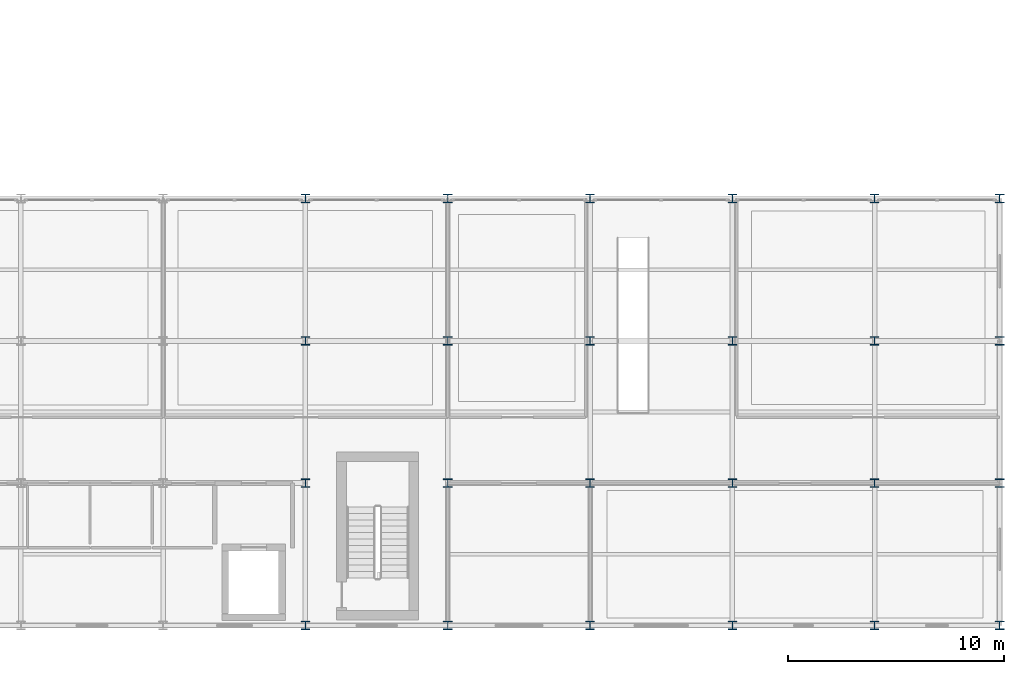
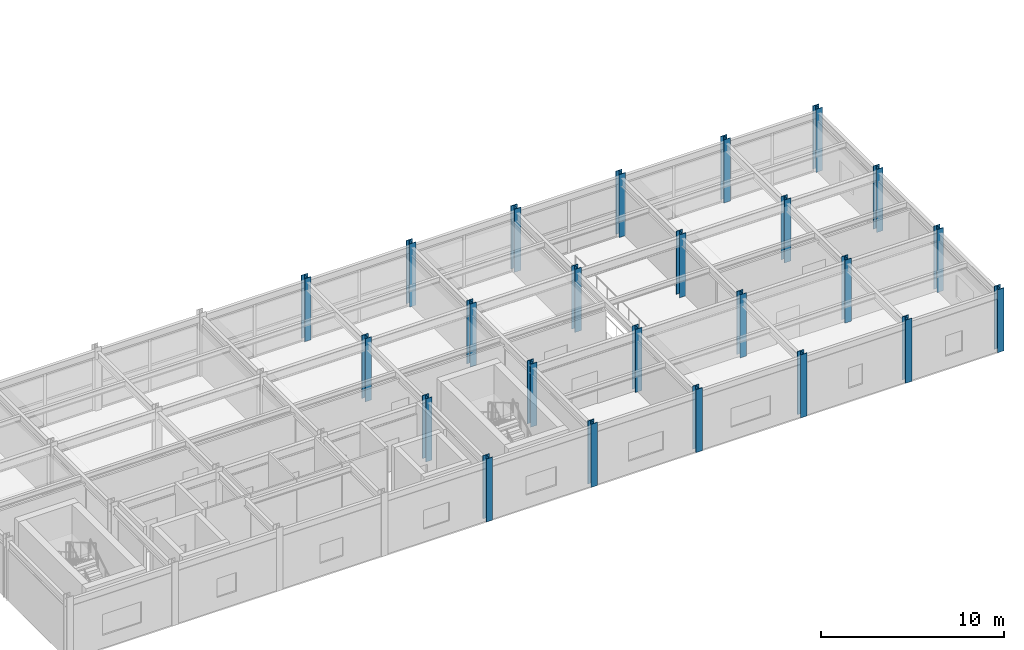
# One storey, part 17 of 147: 24 columns.
"""IFC4 building model written with IfcOpenShell, lengths in metres."""

from ifc_helpers import new_model, si_unit, direction, frame, origin, origin_2d, place, context, subcontext, project, spatial, i_section, extrude, material, material_profile, profile_set, type_object, element, save


model = new_model("IFC4")

# Units and contexts
model_context = context("Model", 3, precision=1e-05, world=origin(), true_north=direction((0.0, 1.0)))
body_context = subcontext(model_context, "Body", "Model", "MODEL_VIEW")
ifc_project = project(units=[si_unit("LENGTHUNIT", "METRE"), si_unit("AREAUNIT", "SQUARE_METRE"), si_unit("VOLUMEUNIT", "CUBIC_METRE"), si_unit("PLANEANGLEUNIT", "RADIAN"), si_unit("MASSUNIT", "GRAM", prefix="KILO")], contexts=[model_context])

# Site, building, storey
site_placement = place(None, origin())
site = spatial("IfcSite", under=ifc_project, at=site_placement, CompositionType="ELEMENT")
building_placement = place(site_placement, origin())
building = spatial("IfcBuilding", under=site, at=building_placement, Name="Karori Crest Natural Sciences Institute", CompositionType="ELEMENT")
storey_placement = place(building_placement, frame((0.0, 0.0, 9.10009765625)))
storey = spatial("IfcBuildingStorey", under=building, at=storey_placement, Name="L02", CompositionType="ELEMENT", Elevation=9.10009765625)

# Columns
ifc_material = material(Name="Structural steel AS/NZS 3679.1 Grade 350", Category="steel")
ifc_material_profile_1 = material_profile(ifc_material, i_section(OverallWidth=0.39990234375, OverallDepth=0.39990234375, WebThickness=0.02001953125, FlangeThickness=0.034912109375, FilletRadius=0.01611328125, at=origin_2d()), Name="400WC328")
ifc_profile_set_1 = profile_set([ifc_material_profile_1], Name="Structural steel AS/NZS 3679.1 Grade 350")
column_type_1 = type_object("IfcColumnType", Name="CT-02", PredefinedType="COLUMN", material=ifc_profile_set_1)
for number, where, z_axis, x_axis, name in (
    (1, (130.0, 7.39990234375, 0.0), (0.0, 0.0, 1.0), (1.0, 0.0, 0.0), "Column C-1224"),
    (2, (130.0, 14.0, 0.0), (0.0, 0.0, 1.0), (1.0, 0.0, 0.0), "Column C-1236"),
    (3, (136.60009765625, 7.39990234375, 0.0), (0.0, 0.0, 1.0), (1.0, 0.0, 0.0), "Column C-1272"),
    (4, (136.60009765625, 14.0, 0.0), (0.0, 0.0, 1.0), (1.0, 0.0, 0.0), "Column C-1284"),
    (5, (143.199951171875, 7.39990234375, 0.0), (0.0, 0.0, 1.0), (1.0, 0.0, 0.0), "Column C-1319"),
    (6, (143.199951171875, 14.0, 0.0), (0.0, 0.0, 1.0), (1.0, 0.0, 0.0), "Column C-1330"),
    (7, (149.800048828125, 7.39990234375, 0.0), (0.0, 0.0, 1.0), (1.0, 0.0, 0.0), "Column C-1363"),
    (8, (149.800048828125, 14.0, 0.0), (0.0, 0.0, 1.0), (1.0, 0.0, 0.0), "Column C-1374"),
    (9, (156.39990234375, 7.39990234375, 0.0), (0.0, 0.0, 1.0), (1.0, 0.0, 0.0), "Column C-1405"),
    (10, (156.39990234375, 14.0, 0.0), (0.0, 0.0, 1.0), (1.0, 0.0, 0.0), "Column C-1414"),
):
    element("IfcColumn", number, at=place(storey_placement, frame(where, z_axis=z_axis, x_axis=x_axis)), inside=storey, type_object=column_type_1, Name=name, PredefinedType="COLUMN", context=body_context, shape_type="SweptSolid", body=[
        extrude(i_section(OverallWidth=0.39990234375, OverallDepth=0.39990234375, WebThickness=0.02001953125, FlangeThickness=0.034912109375, FilletRadius=0.01611328125, at=origin_2d()), origin(), (0.0, 0.0, 1.0), 4.199951171875),
    ])
ifc_material_profile_2 = material_profile(ifc_material, i_section(OverallWidth=0.39990234375, OverallDepth=0.39990234375, WebThickness=0.02001953125, FlangeThickness=0.034912109375, FilletRadius=0.01611328125, at=origin_2d()), Name="400WC328")
ifc_profile_set_2 = profile_set([ifc_material_profile_2], Name="Structural steel AS/NZS 3679.1 Grade 350")
column_type_2 = type_object("IfcColumnType", Name="CT-02-EL", PredefinedType="COLUMN", material=ifc_profile_set_2)
for number, where, z_axis, x_axis, name in (
    (11, (130.0, 0.800048828125, 0.0), (0.0, 0.0, 1.0), (1.0, 0.0, 0.0), "Column C-1212"),
    (12, (130.0, 20.60009765625, 0.0), (0.0, 0.0, 1.0), (1.0, 0.0, 0.0), "Column C-1248"),
    (13, (136.60009765625, 0.800048828125, 0.0), (0.0, 0.0, 1.0), (1.0, 0.0, 0.0), "Column C-1260"),
    (14, (136.60009765625, 20.60009765625, 0.0), (0.0, 0.0, 1.0), (1.0, 0.0, 0.0), "Column C-1296"),
    (15, (143.199951171875, 0.800048828125, 0.0), (0.0, 0.0, 1.0), (1.0, 0.0, 0.0), "Column C-1308"),
    (16, (143.199951171875, 20.60009765625, 0.0), (0.0, 0.0, 1.0), (1.0, 0.0, 0.0), "Column C-1341"),
    (17, (149.800048828125, 0.800048828125, 0.0), (0.0, 0.0, 1.0), (1.0, 0.0, 0.0), "Column C-1352"),
    (18, (149.800048828125, 20.60009765625, 0.0), (0.0, 0.0, 1.0), (1.0, 0.0, 0.0), "Column C-1385"),
    (19, (156.39990234375, 0.800048828125, 0.0), (0.0, 0.0, 1.0), (1.0, 0.0, 0.0), "Column C-1396"),
    (20, (156.39990234375, 20.60009765625, 0.0), (0.0, 0.0, 1.0), (1.0, 0.0, 0.0), "Column C-1423"),
    (21, (162.199951171875, 0.800048828125, 0.0), (0.0, 0.0, 1.0), (1.0, 0.0, 0.0), "Column C-1432"),
    (22, (162.199951171875, 7.39990234375, 0.0), (0.0, 0.0, 1.0), (1.0, 0.0, 0.0), "Column C-1439"),
    (23, (162.199951171875, 14.0, 0.0), (0.0, 0.0, 1.0), (1.0, 0.0, 0.0), "Column C-1446"),
    (24, (162.199951171875, 20.60009765625, 0.0), (0.0, 0.0, 1.0), (1.0, 0.0, 0.0), "Column C-1453"),
):
    element("IfcColumn", number, at=place(storey_placement, frame(where, z_axis=z_axis, x_axis=x_axis)), inside=storey, type_object=column_type_2, Name=name, PredefinedType="COLUMN", context=body_context, shape_type="SweptSolid", body=[
        extrude(i_section(OverallWidth=0.39990234375, OverallDepth=0.39990234375, WebThickness=0.02001953125, FlangeThickness=0.034912109375, FilletRadius=0.01611328125, at=origin_2d()), origin(), (0.0, 0.0, 1.0), 4.199951171875),
    ])

save(model, "model.ifc")
